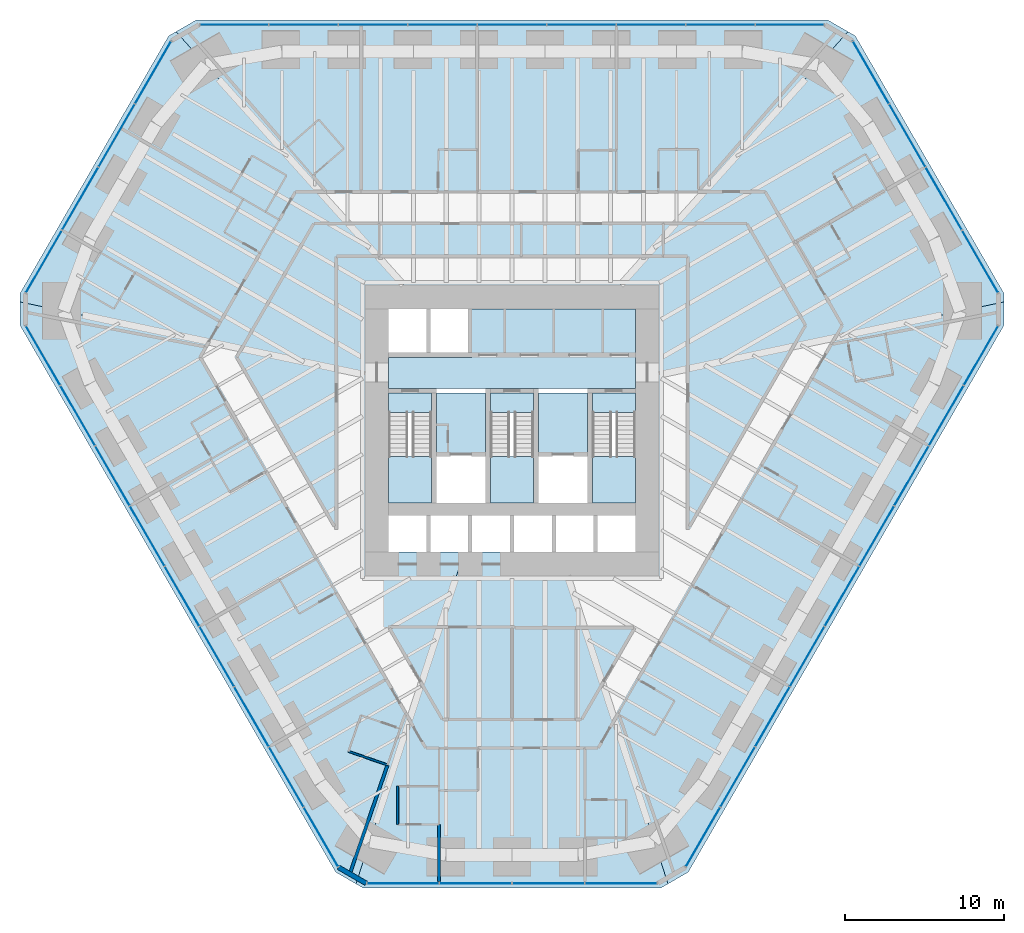
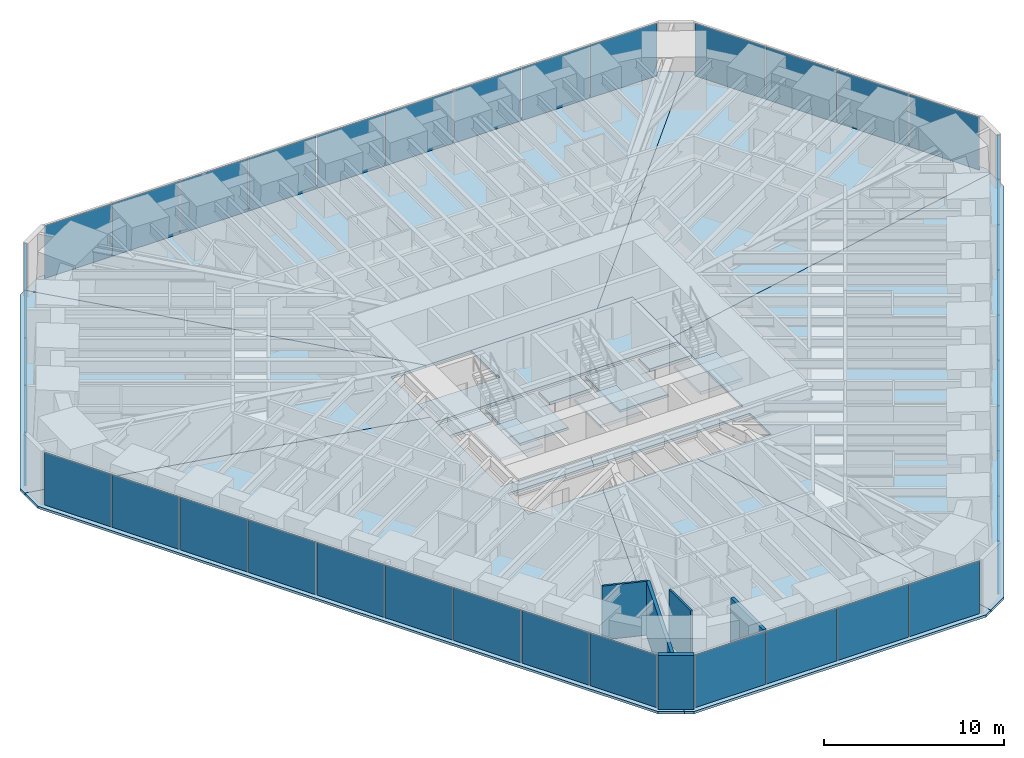
# One storey, part 10 of 17: 39 plates, 15 slabs, 5 walls, 9 elements without a shape of their own.
"""IFC4 building model written with IfcOpenShell, lengths in metres."""

from ifc_helpers import new_model, si_unit, direction, frame, frame_2d, origin, origin_2d, place, context, subcontext, project, spatial, polyline, rectangle, outline, extrude, material, layer, layer_set, type_object, element, aggregate, save


model = new_model("IFC4")

# Units and contexts
model_context = context("Model", 3, precision=1e-05, world=origin(), true_north=direction((0.0, 1.0)))
body_context = subcontext(model_context, "Body", "Model", "MODEL_VIEW")
ifc_project = project(units=[si_unit("LENGTHUNIT", "METRE"), si_unit("AREAUNIT", "SQUARE_METRE"), si_unit("VOLUMEUNIT", "CUBIC_METRE"), si_unit("PLANEANGLEUNIT", "RADIAN"), si_unit("MASSUNIT", "GRAM", prefix="KILO")], contexts=[model_context])

# Site, building, storey
site_placement = place(None, origin())
site = spatial("IfcSite", under=ifc_project, at=site_placement, CompositionType="ELEMENT")
building_placement = place(site_placement, origin())
building = spatial("IfcBuilding", under=site, at=building_placement, Name="Sandreach Pilgrim Tower", CompositionType="ELEMENT")
storey_placement = place(building_placement, frame((0.0, 0.0, 64.800048828125)))
storey = spatial("IfcBuildingStorey", under=building, at=storey_placement, Name="L15", CompositionType="ELEMENT", Elevation=64.800048828125)

# Curtain wall, plates
ifc_material_1 = material(Name="Aluminium framed curtain wall", Category="aluminium")
curtain_wall_type = type_object("IfcCurtainWallType", Name="Hostel tower curtain wall", PredefinedType="NOTDEFINED", material=ifc_material_1)
curtain_wall_1_placement = place(storey_placement, origin())
curtain_wall_1 = element("IfcCurtainWall", 1, at=curtain_wall_1_placement, inside=storey, type_object=curtain_wall_type, Name="CW-1 L15 N", PredefinedType="NOTDEFINED")
ifc_material_2 = material(Name="Insulating glass unit 6 heat-strengthened + 12 argon + 6 heat-strengthened", Category="glass")
ifc_layer_1 = layer(ifc_material_2, 0.02392578125)
ifc_layer_set_1 = layer_set([ifc_layer_1], Name="CW-1 panel")
plate_type = type_object("IfcPlateType", Name="CW-1 panel", PredefinedType="CURTAIN_PANEL", material=ifc_layer_set_1)
plate_1_placement = place(storey_placement, frame((-17.469970703125, 23.94873046875, 0.0), z_axis=(0.0, 0.0, 1.0), x_axis=(1.0, 0.0, 0.0)))
plate_1 = element("IfcPlate", 2, at=plate_1_placement, type_object=plate_type, Name="CW-1 panel 1", PredefinedType="CURTAIN_PANEL", context=body_context, shape_type="SweptSolid", body=[
    extrude(rectangle(XDim=4.274169921875, YDim=0.02392578125, at=origin_2d()), origin(), (0.0, 0.0, 1.0), 3.570068359375),
])
plate_2_placement = place(storey_placement, frame((-13.11474609375, 23.94873046875, 0.0), z_axis=(0.0, 0.0, 1.0), x_axis=(1.0, 0.0, 0.0)))
plate_2 = element("IfcPlate", 3, at=plate_2_placement, type_object=plate_type, Name="CW-1 panel 2", PredefinedType="CURTAIN_PANEL", context=body_context, shape_type="SweptSolid", body=[
    extrude(rectangle(XDim=4.306640625, YDim=0.02392578125, at=origin_2d()), origin(), (0.0, 0.0, 1.0), 3.570068359375),
])
plate_3_placement = place(storey_placement, frame((-8.7431640625, 23.94873046875, 0.0), z_axis=(0.0, 0.0, 1.0), x_axis=(1.0, 0.0, 0.0)))
plate_3 = element("IfcPlate", 4, at=plate_3_placement, type_object=plate_type, Name="CW-1 panel 3", PredefinedType="CURTAIN_PANEL", context=body_context, shape_type="SweptSolid", body=[
    extrude(rectangle(XDim=4.306640625, YDim=0.02392578125, at=origin_2d()), origin(), (0.0, 0.0, 1.0), 3.570068359375),
])
plate_4_placement = place(storey_placement, frame((-4.37158203125, 23.94873046875, 0.0), z_axis=(0.0, 0.0, 1.0), x_axis=(1.0, 0.0, 0.0)))
plate_4 = element("IfcPlate", 5, at=plate_4_placement, type_object=plate_type, Name="CW-1 panel 4", PredefinedType="CURTAIN_PANEL", context=body_context, shape_type="SweptSolid", body=[
    extrude(rectangle(XDim=4.306640625, YDim=0.02392578125, at=origin_2d()), origin(), (0.0, 0.0, 1.0), 3.570068359375),
])
plate_5_placement = place(storey_placement, frame((0.0, 23.94873046875, 0.0), z_axis=(0.0, 0.0, 1.0), x_axis=(1.0, 0.0, 0.0)))
plate_5 = element("IfcPlate", 6, at=plate_5_placement, type_object=plate_type, Name="CW-1 panel 5", PredefinedType="CURTAIN_PANEL", context=body_context, shape_type="SweptSolid", body=[
    extrude(rectangle(XDim=4.306640625, YDim=0.02392578125, at=origin_2d()), origin(), (0.0, 0.0, 1.0), 3.570068359375),
])
plate_6_placement = place(storey_placement, frame((4.37158203125, 23.94873046875, 0.0), z_axis=(0.0, 0.0, 1.0), x_axis=(1.0, 0.0, 0.0)))
plate_6 = element("IfcPlate", 7, at=plate_6_placement, type_object=plate_type, Name="CW-1 panel 6", PredefinedType="CURTAIN_PANEL", context=body_context, shape_type="SweptSolid", body=[
    extrude(rectangle(XDim=4.306640625, YDim=0.02392578125, at=origin_2d()), origin(), (0.0, 0.0, 1.0), 3.570068359375),
])
plate_7_placement = place(storey_placement, frame((8.7431640625, 23.94873046875, 0.0), z_axis=(0.0, 0.0, 1.0), x_axis=(1.0, 0.0, 0.0)))
plate_7 = element("IfcPlate", 8, at=plate_7_placement, type_object=plate_type, Name="CW-1 panel 7", PredefinedType="CURTAIN_PANEL", context=body_context, shape_type="SweptSolid", body=[
    extrude(rectangle(XDim=4.306640625, YDim=0.02392578125, at=origin_2d()), origin(), (0.0, 0.0, 1.0), 3.570068359375),
])
plate_8_placement = place(storey_placement, frame((13.11474609375, 23.94873046875, 0.0), z_axis=(0.0, 0.0, 1.0), x_axis=(1.0, 0.0, 0.0)))
plate_8 = element("IfcPlate", 9, at=plate_8_placement, type_object=plate_type, Name="CW-1 panel 8", PredefinedType="CURTAIN_PANEL", context=body_context, shape_type="SweptSolid", body=[
    extrude(rectangle(XDim=4.306640625, YDim=0.02392578125, at=origin_2d()), origin(), (0.0, 0.0, 1.0), 3.570068359375),
])
plate_9_placement = place(storey_placement, frame((17.469970703125, 23.94873046875, 0.0), z_axis=(0.0, 0.0, 1.0), x_axis=(1.0, 0.0, 0.0)))
plate_9 = element("IfcPlate", 10, at=plate_9_placement, type_object=plate_type, Name="CW-1 panel 9", PredefinedType="CURTAIN_PANEL", context=body_context, shape_type="SweptSolid", body=[
    extrude(rectangle(XDim=4.274169921875, YDim=0.02392578125, at=origin_2d()), origin(), (0.0, 0.0, 1.0), 3.570068359375),
])
aggregate(curtain_wall_1, [plate_1, plate_2, plate_3, plate_4, plate_5, plate_6, plate_7, plate_8, plate_9])

curtain_wall_2_placement = place(storey_placement, origin())
curtain_wall_2 = element("IfcCurtainWall", 11, at=curtain_wall_2_placement, inside=storey, type_object=curtain_wall_type, Name="CW-1 L15 NE", PredefinedType="NOTDEFINED")
plate_10_placement = place(storey_placement, frame((22.558837890625, 20.94873046875, 0.0), z_axis=(0.0, 0.0, 1.0), x_axis=(0.5, -0.866025403784, 0.0)))
plate_10 = element("IfcPlate", 12, at=plate_10_placement, type_object=plate_type, Name="CW-1 panel 1", PredefinedType="CURTAIN_PANEL", context=body_context, shape_type="SweptSolid", body=[
    extrude(rectangle(XDim=4.488525390625, YDim=0.02392578125, at=origin_2d()), origin(), (0.0, 0.0, 1.0), 3.570068359375),
])
plate_11_placement = place(storey_placement, frame((24.84375, 16.9912109375, 0.0), z_axis=(0.0, 0.0, 1.0), x_axis=(0.5, -0.866025403784, 0.0)))
plate_11 = element("IfcPlate", 13, at=plate_11_placement, type_object=plate_type, Name="CW-1 panel 2", PredefinedType="CURTAIN_PANEL", context=body_context, shape_type="SweptSolid", body=[
    extrude(rectangle(XDim=4.52099609375, YDim=0.02392578125, at=origin_2d()), origin(), (0.0, 0.0, 1.0), 3.570068359375),
])
plate_12_placement = place(storey_placement, frame((27.13671875, 13.01953125, 0.0), z_axis=(0.0, 0.0, 1.0), x_axis=(0.5, -0.866025403784, 0.0)))
plate_12 = element("IfcPlate", 14, at=plate_12_placement, type_object=plate_type, Name="CW-1 panel 3", PredefinedType="CURTAIN_PANEL", context=body_context, shape_type="SweptSolid", body=[
    extrude(rectangle(XDim=4.52099609375, YDim=0.02392578125, at=origin_2d()), origin(), (0.0, 0.0, 1.0), 3.570068359375),
])
plate_13_placement = place(storey_placement, frame((29.421630859375, 9.06201171875, 0.0), z_axis=(0.0, 0.0, 1.0), x_axis=(0.5, -0.866025403784, 0.0)))
plate_13 = element("IfcPlate", 15, at=plate_13_placement, type_object=plate_type, Name="CW-1 panel 4", PredefinedType="CURTAIN_PANEL", context=body_context, shape_type="SweptSolid", body=[
    extrude(rectangle(XDim=4.488525390625, YDim=0.02392578125, at=origin_2d()), origin(), (0.0, 0.0, 1.0), 3.570068359375),
])
aggregate(curtain_wall_2, [plate_10, plate_11, plate_12, plate_13])

curtain_wall_3_placement = place(storey_placement, origin())
curtain_wall_3 = element("IfcCurtainWall", 16, at=curtain_wall_3_placement, inside=storey, type_object=curtain_wall_type, Name="CW-1 L15 SE", PredefinedType="NOTDEFINED")
plate_14_placement = place(storey_placement, frame((29.475341796875, 3.1552734375, 0.0), z_axis=(0.0, 0.0, 1.0), x_axis=(-0.5, -0.866025403784, 0.0)))
plate_14 = element("IfcPlate", 17, at=plate_14_placement, type_object=plate_type, Name="CW-1 panel 1", PredefinedType="CURTAIN_PANEL", context=body_context, shape_type="SweptSolid", body=[
    extrude(rectangle(XDim=4.274169921875, YDim=0.02392578125, at=origin_2d()), origin(), (0.0, 0.0, 1.0), 3.570068359375),
])
plate_15_placement = place(storey_placement, frame((27.297607421875, -0.61669921875, 0.0), z_axis=(0.0, 0.0, 1.0), x_axis=(-0.5, -0.866025403784, 0.0)))
plate_15 = element("IfcPlate", 18, at=plate_15_placement, type_object=plate_type, Name="CW-1 panel 2", PredefinedType="CURTAIN_PANEL", context=body_context, shape_type="SweptSolid", body=[
    extrude(rectangle(XDim=4.306640625, YDim=0.02392578125, at=origin_2d()), origin(), (0.0, 0.0, 1.0), 3.570068359375),
])
plate_16_placement = place(storey_placement, frame((25.11181640625, -4.402587890625, 0.0), z_axis=(0.0, 0.0, 1.0), x_axis=(-0.5, -0.866025403784, 0.0)))
plate_16 = element("IfcPlate", 19, at=plate_16_placement, type_object=plate_type, Name="CW-1 panel 3", PredefinedType="CURTAIN_PANEL", context=body_context, shape_type="SweptSolid", body=[
    extrude(rectangle(XDim=4.306640625, YDim=0.02392578125, at=origin_2d()), origin(), (0.0, 0.0, 1.0), 3.570068359375),
])
plate_17_placement = place(storey_placement, frame((22.926025390625, -8.1884765625, 0.0), z_axis=(0.0, 0.0, 1.0), x_axis=(-0.5, -0.866025403784, 0.0)))
plate_17 = element("IfcPlate", 20, at=plate_17_placement, type_object=plate_type, Name="CW-1 panel 4", PredefinedType="CURTAIN_PANEL", context=body_context, shape_type="SweptSolid", body=[
    extrude(rectangle(XDim=4.306640625, YDim=0.02392578125, at=origin_2d()), origin(), (0.0, 0.0, 1.0), 3.570068359375),
])
plate_18_placement = place(storey_placement, frame((20.740234375, -11.974365234375, 0.0), z_axis=(0.0, 0.0, 1.0), x_axis=(-0.5, -0.866025403784, 0.0)))
plate_18 = element("IfcPlate", 21, at=plate_18_placement, type_object=plate_type, Name="CW-1 panel 5", PredefinedType="CURTAIN_PANEL", context=body_context, shape_type="SweptSolid", body=[
    extrude(rectangle(XDim=4.306640625, YDim=0.02392578125, at=origin_2d()), origin(), (0.0, 0.0, 1.0), 3.570068359375),
])
plate_19_placement = place(storey_placement, frame((18.554443359375, -15.76025390625, 0.0), z_axis=(0.0, 0.0, 1.0), x_axis=(-0.5, -0.866025403784, 0.0)))
plate_19 = element("IfcPlate", 22, at=plate_19_placement, type_object=plate_type, Name="CW-1 panel 6", PredefinedType="CURTAIN_PANEL", context=body_context, shape_type="SweptSolid", body=[
    extrude(rectangle(XDim=4.306640625, YDim=0.02392578125, at=origin_2d()), origin(), (0.0, 0.0, 1.0), 3.570068359375),
])
plate_20_placement = place(storey_placement, frame((16.36865234375, -19.546142578125, 0.0), z_axis=(0.0, 0.0, 1.0), x_axis=(-0.5, -0.866025403784, 0.0)))
plate_20 = element("IfcPlate", 23, at=plate_20_placement, type_object=plate_type, Name="CW-1 panel 7", PredefinedType="CURTAIN_PANEL", context=body_context, shape_type="SweptSolid", body=[
    extrude(rectangle(XDim=4.306640625, YDim=0.02392578125, at=origin_2d()), origin(), (0.0, 0.0, 1.0), 3.570068359375),
])
plate_21_placement = place(storey_placement, frame((14.182861328125, -23.33203125, 0.0), z_axis=(0.0, 0.0, 1.0), x_axis=(-0.5, -0.866025403784, 0.0)))
plate_21 = element("IfcPlate", 24, at=plate_21_placement, type_object=plate_type, Name="CW-1 panel 8", PredefinedType="CURTAIN_PANEL", context=body_context, shape_type="SweptSolid", body=[
    extrude(rectangle(XDim=4.306640625, YDim=0.02392578125, at=origin_2d()), origin(), (0.0, 0.0, 1.0), 3.570068359375),
])
plate_22_placement = place(storey_placement, frame((12.005126953125, -27.103759765625, 0.0), z_axis=(0.0, 0.0, 1.0), x_axis=(-0.5, -0.866025403784, 0.0)))
plate_22 = element("IfcPlate", 25, at=plate_22_placement, type_object=plate_type, Name="CW-1 panel 9", PredefinedType="CURTAIN_PANEL", context=body_context, shape_type="SweptSolid", body=[
    extrude(rectangle(XDim=4.274169921875, YDim=0.02392578125, at=origin_2d()), origin(), (0.0, 0.0, 1.0), 3.570068359375),
])
aggregate(curtain_wall_3, [plate_14, plate_15, plate_16, plate_17, plate_18, plate_19, plate_20, plate_21, plate_22])

curtain_wall_4_placement = place(storey_placement, origin())
curtain_wall_4 = element("IfcCurtainWall", 26, at=curtain_wall_4_placement, inside=storey, type_object=curtain_wall_type, Name="CW-1 L15 S", PredefinedType="NOTDEFINED")
plate_23_placement = place(storey_placement, frame((6.86279296875, -30.010986328125, 0.0), z_axis=(0.0, 0.0, 1.0), x_axis=(-1.0, 0.0, 0.0)))
plate_23 = element("IfcPlate", 27, at=plate_23_placement, type_object=plate_type, Name="CW-1 panel 1", PredefinedType="CURTAIN_PANEL", context=body_context, shape_type="SweptSolid", body=[
    extrude(rectangle(XDim=4.488525390625, YDim=0.02392578125, at=origin_2d()), origin(), (0.0, 0.0, 1.0), 3.570068359375),
])
plate_24_placement = place(storey_placement, frame((2.29296875, -30.010986328125, 0.0), z_axis=(0.0, 0.0, 1.0), x_axis=(-1.0, 0.0, 0.0)))
plate_24 = element("IfcPlate", 28, at=plate_24_placement, type_object=plate_type, Name="CW-1 panel 2", PredefinedType="CURTAIN_PANEL", context=body_context, shape_type="SweptSolid", body=[
    extrude(rectangle(XDim=4.52099609375, YDim=0.02392578125, at=origin_2d()), origin(), (0.0, 0.0, 1.0), 3.570068359375),
])
plate_25_placement = place(storey_placement, frame((-2.29296875, -30.010986328125, 0.0), z_axis=(0.0, 0.0, 1.0), x_axis=(-1.0, 0.0, 0.0)))
plate_25 = element("IfcPlate", 29, at=plate_25_placement, type_object=plate_type, Name="CW-1 panel 3", PredefinedType="CURTAIN_PANEL", context=body_context, shape_type="SweptSolid", body=[
    extrude(rectangle(XDim=4.52099609375, YDim=0.02392578125, at=origin_2d()), origin(), (0.0, 0.0, 1.0), 3.570068359375),
])
plate_26_placement = place(storey_placement, frame((-6.86279296875, -30.010986328125, 0.0), z_axis=(0.0, 0.0, 1.0), x_axis=(-1.0, 0.0, 0.0)))
plate_26 = element("IfcPlate", 30, at=plate_26_placement, type_object=plate_type, Name="CW-1 panel 4", PredefinedType="CURTAIN_PANEL", context=body_context, shape_type="SweptSolid", body=[
    extrude(rectangle(XDim=4.488525390625, YDim=0.02392578125, at=origin_2d()), origin(), (0.0, 0.0, 1.0), 3.570068359375),
])
aggregate(curtain_wall_4, [plate_23, plate_24, plate_25, plate_26])

curtain_wall_5_placement = place(storey_placement, origin())
curtain_wall_5 = element("IfcCurtainWall", 31, at=curtain_wall_5_placement, inside=storey, type_object=curtain_wall_type, Name="CW-1 L15 SW", PredefinedType="NOTDEFINED")
plate_27_placement = place(storey_placement, frame((-12.005126953125, -27.103759765625, 0.0), z_axis=(0.0, 0.0, 1.0), x_axis=(-0.5, 0.866025403784, 0.0)))
plate_27 = element("IfcPlate", 32, at=plate_27_placement, type_object=plate_type, Name="CW-1 panel 1", PredefinedType="CURTAIN_PANEL", context=body_context, shape_type="SweptSolid", body=[
    extrude(rectangle(XDim=4.274169921875, YDim=0.02392578125, at=origin_2d()), origin(), (0.0, 0.0, 1.0), 3.570068359375),
])
plate_28_placement = place(storey_placement, frame((-14.182861328125, -23.33203125, 0.0), z_axis=(0.0, 0.0, 1.0), x_axis=(-0.5, 0.866025403784, 0.0)))
plate_28 = element("IfcPlate", 33, at=plate_28_placement, type_object=plate_type, Name="CW-1 panel 2", PredefinedType="CURTAIN_PANEL", context=body_context, shape_type="SweptSolid", body=[
    extrude(rectangle(XDim=4.306640625, YDim=0.02392578125, at=origin_2d()), origin(), (0.0, 0.0, 1.0), 3.570068359375),
])
plate_29_placement = place(storey_placement, frame((-16.36865234375, -19.546142578125, 0.0), z_axis=(0.0, 0.0, 1.0), x_axis=(-0.5, 0.866025403784, 0.0)))
plate_29 = element("IfcPlate", 34, at=plate_29_placement, type_object=plate_type, Name="CW-1 panel 3", PredefinedType="CURTAIN_PANEL", context=body_context, shape_type="SweptSolid", body=[
    extrude(rectangle(XDim=4.306640625, YDim=0.02392578125, at=origin_2d()), origin(), (0.0, 0.0, 1.0), 3.570068359375),
])
plate_30_placement = place(storey_placement, frame((-18.554443359375, -15.76025390625, 0.0), z_axis=(0.0, 0.0, 1.0), x_axis=(-0.5, 0.866025403784, 0.0)))
plate_30 = element("IfcPlate", 35, at=plate_30_placement, type_object=plate_type, Name="CW-1 panel 4", PredefinedType="CURTAIN_PANEL", context=body_context, shape_type="SweptSolid", body=[
    extrude(rectangle(XDim=4.306640625, YDim=0.02392578125, at=origin_2d()), origin(), (0.0, 0.0, 1.0), 3.570068359375),
])
plate_31_placement = place(storey_placement, frame((-20.740234375, -11.974365234375, 0.0), z_axis=(0.0, 0.0, 1.0), x_axis=(-0.5, 0.866025403784, 0.0)))
plate_31 = element("IfcPlate", 36, at=plate_31_placement, type_object=plate_type, Name="CW-1 panel 5", PredefinedType="CURTAIN_PANEL", context=body_context, shape_type="SweptSolid", body=[
    extrude(rectangle(XDim=4.306640625, YDim=0.02392578125, at=origin_2d()), origin(), (0.0, 0.0, 1.0), 3.570068359375),
])
plate_32_placement = place(storey_placement, frame((-22.926025390625, -8.1884765625, 0.0), z_axis=(0.0, 0.0, 1.0), x_axis=(-0.5, 0.866025403784, 0.0)))
plate_32 = element("IfcPlate", 37, at=plate_32_placement, type_object=plate_type, Name="CW-1 panel 6", PredefinedType="CURTAIN_PANEL", context=body_context, shape_type="SweptSolid", body=[
    extrude(rectangle(XDim=4.306640625, YDim=0.02392578125, at=origin_2d()), origin(), (0.0, 0.0, 1.0), 3.570068359375),
])
plate_33_placement = place(storey_placement, frame((-25.11181640625, -4.402587890625, 0.0), z_axis=(0.0, 0.0, 1.0), x_axis=(-0.5, 0.866025403784, 0.0)))
plate_33 = element("IfcPlate", 38, at=plate_33_placement, type_object=plate_type, Name="CW-1 panel 7", PredefinedType="CURTAIN_PANEL", context=body_context, shape_type="SweptSolid", body=[
    extrude(rectangle(XDim=4.306640625, YDim=0.02392578125, at=origin_2d()), origin(), (0.0, 0.0, 1.0), 3.570068359375),
])
plate_34_placement = place(storey_placement, frame((-27.297607421875, -0.61669921875, 0.0), z_axis=(0.0, 0.0, 1.0), x_axis=(-0.5, 0.866025403784, 0.0)))
plate_34 = element("IfcPlate", 39, at=plate_34_placement, type_object=plate_type, Name="CW-1 panel 8", PredefinedType="CURTAIN_PANEL", context=body_context, shape_type="SweptSolid", body=[
    extrude(rectangle(XDim=4.306640625, YDim=0.02392578125, at=origin_2d()), origin(), (0.0, 0.0, 1.0), 3.570068359375),
])
plate_35_placement = place(storey_placement, frame((-29.475341796875, 3.1552734375, 0.0), z_axis=(0.0, 0.0, 1.0), x_axis=(-0.5, 0.866025403784, 0.0)))
plate_35 = element("IfcPlate", 40, at=plate_35_placement, type_object=plate_type, Name="CW-1 panel 9", PredefinedType="CURTAIN_PANEL", context=body_context, shape_type="SweptSolid", body=[
    extrude(rectangle(XDim=4.274169921875, YDim=0.02392578125, at=origin_2d()), origin(), (0.0, 0.0, 1.0), 3.570068359375),
])
aggregate(curtain_wall_5, [plate_27, plate_28, plate_29, plate_30, plate_31, plate_32, plate_33, plate_34, plate_35])

curtain_wall_6_placement = place(storey_placement, origin())
curtain_wall_6 = element("IfcCurtainWall", 41, at=curtain_wall_6_placement, inside=storey, type_object=curtain_wall_type, Name="CW-1 L15 NW", PredefinedType="NOTDEFINED")
plate_36_placement = place(storey_placement, frame((-29.421630859375, 9.06201171875, 0.0), z_axis=(0.0, 0.0, 1.0), x_axis=(0.5, 0.866025403784, 0.0)))
plate_36 = element("IfcPlate", 42, at=plate_36_placement, type_object=plate_type, Name="CW-1 panel 1", PredefinedType="CURTAIN_PANEL", context=body_context, shape_type="SweptSolid", body=[
    extrude(rectangle(XDim=4.488525390625, YDim=0.02392578125, at=origin_2d()), origin(), (0.0, 0.0, 1.0), 3.570068359375),
])
plate_37_placement = place(storey_placement, frame((-27.13671875, 13.01953125, 0.0), z_axis=(0.0, 0.0, 1.0), x_axis=(0.5, 0.866025403784, 0.0)))
plate_37 = element("IfcPlate", 43, at=plate_37_placement, type_object=plate_type, Name="CW-1 panel 2", PredefinedType="CURTAIN_PANEL", context=body_context, shape_type="SweptSolid", body=[
    extrude(rectangle(XDim=4.52099609375, YDim=0.02392578125, at=origin_2d()), origin(), (0.0, 0.0, 1.0), 3.570068359375),
])
plate_38_placement = place(storey_placement, frame((-24.84375, 16.9912109375, 0.0), z_axis=(0.0, 0.0, 1.0), x_axis=(0.5, 0.866025403784, 0.0)))
plate_38 = element("IfcPlate", 44, at=plate_38_placement, type_object=plate_type, Name="CW-1 panel 3", PredefinedType="CURTAIN_PANEL", context=body_context, shape_type="SweptSolid", body=[
    extrude(rectangle(XDim=4.52099609375, YDim=0.02392578125, at=origin_2d()), origin(), (0.0, 0.0, 1.0), 3.570068359375),
])
plate_39_placement = place(storey_placement, frame((-22.558837890625, 20.94873046875, 0.0), z_axis=(0.0, 0.0, 1.0), x_axis=(0.5, 0.866025403784, 0.0)))
plate_39 = element("IfcPlate", 45, at=plate_39_placement, type_object=plate_type, Name="CW-1 panel 4", PredefinedType="CURTAIN_PANEL", context=body_context, shape_type="SweptSolid", body=[
    extrude(rectangle(XDim=4.488525390625, YDim=0.02392578125, at=origin_2d()), origin(), (0.0, 0.0, 1.0), 3.570068359375),
])
aggregate(curtain_wall_6, [plate_36, plate_37, plate_38, plate_39])

# Slabs
ifc_material_3 = material(Name="Concrete 8000 psi", Category="concrete")
ifc_layer_2 = layer(ifc_material_3, 0.159912109375)
ifc_layer_set_2 = layer_set([ifc_layer_2], Name="Composite floor slab 160")
slab_type_1 = type_object("IfcSlabType", Name="Composite floor slab 160", PredefinedType="FLOOR", material=ifc_layer_set_2)
slab_1_placement = place(storey_placement, frame((0.0, 0.0, -0.16015625)))
element("IfcSlab", 46, at=slab_1_placement, inside=storey, type_object=slab_type_1, Name="Floor slab L15 N sector", PredefinedType="FLOOR", context=body_context, shape_type="SweptSolid", body=[
    extrude(outline(polyline([(-19.84521484375, 24.248779296875), (19.84521484375, 24.248779296875), (21.115478515625, 23.515380859375), (5.477294921875, 6.10009765625), (-5.477294921875, 6.10009765625), (-21.115478515625, 23.515380859375), (-19.84521484375, 24.248779296875)])), origin(), (0.0, 0.0, 1.0), 0.16015625),
])
slab_2_placement = place(storey_placement, frame((0.0, 0.0, -0.16015625)))
element("IfcSlab", 47, at=slab_2_placement, inside=storey, type_object=slab_type_1, Name="Floor slab L15 NE sector", PredefinedType="FLOOR", context=body_context, shape_type="SweptSolid", body=[
    extrude(outline(polyline([(21.577392578125, 23.248779296875), (30.922607421875, 7.062255859375), (30.922607421875, 6.52880859375), (7.75, 1.63623046875), (7.75, 6.10009765625), (5.477294921875, 6.10009765625), (21.115478515625, 23.515380859375), (21.577392578125, 23.248779296875)])), origin(), (0.0, 0.0, 1.0), 0.16015625),
])
slab_3_placement = place(storey_placement, frame((0.0, 0.0, -0.16015625)))
element("IfcSlab", 48, at=slab_3_placement, inside=storey, type_object=slab_type_1, Name="Floor slab L15 SE sector", PredefinedType="FLOOR", context=body_context, shape_type="SweptSolid", body=[
    extrude(outline(polyline([(11.077392578125, -29.310791015625), (9.80712890625, -30.044189453125), (3.003173828125, -9.199951171875), (7.75, -9.199951171875), (7.75, -6.89990234375), (-2.252197265625, -6.89990234375), (-1.9912109375, -6.10009765625), (7.75, -6.10009765625), (7.75, 1.63623046875), (30.922607421875, 6.52880859375), (30.922607421875, 5.062255859375), (11.077392578125, -29.310791015625)])), origin(), (0.0, 0.0, 1.0), 0.16015625),
])
slab_4_placement = place(storey_placement, frame((0.0, 0.0, -0.16015625)))
element("IfcSlab", 49, at=slab_4_placement, inside=storey, type_object=slab_type_1, Name="Floor slab L15 S sector", PredefinedType="FLOOR", context=body_context, shape_type="SweptSolid", body=[
    extrude(outline(polyline([(9.34521484375, -30.310791015625), (-9.34521484375, -30.310791015625), (-9.80712890625, -30.044189453125), (-3.003173828125, -9.199951171875), (3.003173828125, -9.199951171875), (9.80712890625, -30.044189453125), (9.34521484375, -30.310791015625)])), origin(), (0.0, 0.0, 1.0), 0.16015625),
])
slab_5_placement = place(storey_placement, frame((0.0, 0.0, -0.16015625)))
element("IfcSlab", 50, at=slab_5_placement, inside=storey, type_object=slab_type_1, Name="Floor slab L15 SW sector", PredefinedType="FLOOR", context=body_context, shape_type="SweptSolid", body=[
    extrude(outline(polyline([(-11.077392578125, -29.310791015625), (-30.922607421875, 5.062255859375), (-30.922607421875, 6.52880859375), (-7.75, 1.63623046875), (-7.75, -6.10009765625), (-1.9912109375, -6.10009765625), (-2.252197265625, -6.89990234375), (-7.75, -6.89990234375), (-7.75, -9.199951171875), (-3.003173828125, -9.199951171875), (-9.80712890625, -30.044189453125), (-11.077392578125, -29.310791015625)])), origin(), (0.0, 0.0, 1.0), 0.16015625),
])
slab_6_placement = place(storey_placement, frame((0.0, 0.0, -0.16015625)))
element("IfcSlab", 51, at=slab_6_placement, inside=storey, type_object=slab_type_1, Name="Floor slab L15 NW sector", PredefinedType="FLOOR", context=body_context, shape_type="SweptSolid", body=[
    extrude(outline(polyline([(-30.922607421875, 7.062255859375), (-21.577392578125, 23.248779296875), (-21.115478515625, 23.515380859375), (-5.477294921875, 6.10009765625), (-7.75, 6.10009765625), (-7.75, 1.63623046875), (-30.922607421875, 6.52880859375), (-30.922607421875, 7.062255859375)])), origin(), (0.0, 0.0, 1.0), 0.16015625),
])
slab_7_placement = place(storey_placement, frame((0.0, 0.0, -0.16015625)))
element("IfcSlab", 52, at=slab_7_placement, inside=storey, type_object=slab_type_1, Name="Core floor slab and stores L15", PredefinedType="FLOOR", context=body_context, shape_type="SweptSolid", body=[
    extrude(outline(polyline([(-7.75, 3.050048828125), (-5.375, 3.050048828125), (-5.125, 3.050048828125), (-2.5, 3.050048828125), (-2.5, 3.35009765625), (-2.60009765625, 3.35009765625), (-2.60009765625, 6.10009765625), (7.75, 6.10009765625), (7.75, 1.10009765625), (5.050048828125, 1.10009765625), (4.75, 1.10009765625), (1.64990234375, 1.10009765625), (1.35009765625, 1.10009765625), (-1.35009765625, 1.10009765625), (-1.64990234375, 1.10009765625), (-4.75, 1.10009765625), (-5.050048828125, 1.10009765625), (-7.75, 1.10009765625), (-7.75, 3.050048828125)])), origin(), (0.0, 0.0, 1.0), 0.16015625),
])
slab_8_placement = place(storey_placement, frame((0.0, 0.0, -0.16015625)))
element("IfcSlab", 53, at=slab_8_placement, inside=storey, type_object=slab_type_1, Name="Core floor slab and stores L15 2", PredefinedType="FLOOR", context=body_context, shape_type="SweptSolid", body=[
    extrude(outline(polyline([(-1.64990234375, -3.050048828125), (-4.75, -3.050048828125), (-4.75, 0.800048828125), (-1.64990234375, 0.800048828125), (-1.64990234375, -3.050048828125)])), origin(), (0.0, 0.0, 1.0), 0.16015625),
])
slab_9_placement = place(storey_placement, frame((0.0, 0.0, -0.16015625)))
element("IfcSlab", 54, at=slab_9_placement, inside=storey, type_object=slab_type_1, Name="Core floor slab and stores L15 3", PredefinedType="FLOOR", context=body_context, shape_type="SweptSolid", body=[
    extrude(outline(polyline([(4.75, -3.050048828125), (1.64990234375, -3.050048828125), (1.64990234375, 0.800048828125), (4.75, 0.800048828125), (4.75, -3.050048828125)])), origin(), (0.0, 0.0, 1.0), 0.16015625),
])

# Stair, slabs
ifc_material_4 = material(Name="Concrete 8000 psi", Category="concrete")
stair_type = type_object("IfcStairType", Name="Core exit stair", PredefinedType="HALF_TURN_STAIR", material=ifc_material_4)
stair_1_placement = place(storey_placement, origin())
stair_1 = element("IfcStair", 55, at=stair_1_placement, inside=storey, type_object=stair_type, Name="Exit stair ST1 L15", PredefinedType="HALF_TURN_STAIR")
ifc_material_5 = material(Name="Concrete 8000 psi", Category="concrete")
ifc_layer_3 = layer(ifc_material_5, 0.199951171875)
ifc_layer_set_3 = layer_set([ifc_layer_3], Name="Core stair landing 200")
slab_type_2 = type_object("IfcSlabType", Name="Core stair landing 200", PredefinedType="LANDING", material=ifc_layer_set_3)
slab_10_placement = place(storey_placement, frame((0.0, 0.0, -0.199951171875)))
slab_10 = element("IfcSlab", 56, at=slab_10_placement, type_object=slab_type_2, Name="ST1 landing 1", PredefinedType="LANDING", context=body_context, shape_type="SweptSolid", body=[
    extrude(outline(polyline([(-7.75, -0.425048828125), (-5.050048828125, -0.425048828125), (-5.050048828125, 0.800048828125), (-7.75, 0.800048828125), (-7.75, -0.425048828125)])), origin(), (0.0, 0.0, 1.0), 0.199951171875),
])
slab_11_placement = place(storey_placement, frame((0.0, 0.0, 1.699951171875)))
slab_11 = element("IfcSlab", 57, at=slab_11_placement, type_object=slab_type_2, Name="ST1 landing 2", PredefinedType="LANDING", context=body_context, shape_type="SweptSolid", body=[
    extrude(outline(polyline([(-7.75, -6.10009765625), (-5.050048828125, -6.10009765625), (-5.050048828125, -3.175048828125), (-7.75, -3.175048828125), (-7.75, -6.10009765625)])), origin(), (0.0, 0.0, 1.0), 0.199951171875),
])
aggregate(stair_1, [slab_10, slab_11])

stair_2_placement = place(storey_placement, origin())
stair_2 = element("IfcStair", 58, at=stair_2_placement, inside=storey, type_object=stair_type, Name="Exit stair ST3 L15", PredefinedType="HALF_TURN_STAIR")
slab_12_placement = place(storey_placement, frame((0.0, 0.0, -0.199951171875)))
slab_12 = element("IfcSlab", 59, at=slab_12_placement, type_object=slab_type_2, Name="ST3 landing 1", PredefinedType="LANDING", context=body_context, shape_type="SweptSolid", body=[
    extrude(outline(polyline([(-1.35009765625, -0.425048828125), (1.35009765625, -0.425048828125), (1.35009765625, 0.800048828125), (-1.35009765625, 0.800048828125), (-1.35009765625, -0.425048828125)])), origin(), (0.0, 0.0, 1.0), 0.199951171875),
])
slab_13_placement = place(storey_placement, frame((0.0, 0.0, 1.699951171875)))
slab_13 = element("IfcSlab", 60, at=slab_13_placement, type_object=slab_type_2, Name="ST3 landing 2", PredefinedType="LANDING", context=body_context, shape_type="SweptSolid", body=[
    extrude(outline(polyline([(-1.35009765625, -6.10009765625), (1.35009765625, -6.10009765625), (1.35009765625, -3.175048828125), (-1.35009765625, -3.175048828125), (-1.35009765625, -6.10009765625)])), origin(), (0.0, 0.0, 1.0), 0.199951171875),
])
aggregate(stair_2, [slab_12, slab_13])

stair_3_placement = place(storey_placement, origin())
stair_3 = element("IfcStair", 61, at=stair_3_placement, inside=storey, type_object=stair_type, Name="Exit stair ST2 L15", PredefinedType="HALF_TURN_STAIR")
slab_14_placement = place(storey_placement, frame((0.0, 0.0, -0.199951171875)))
slab_14 = element("IfcSlab", 62, at=slab_14_placement, type_object=slab_type_2, Name="ST2 landing 1", PredefinedType="LANDING", context=body_context, shape_type="SweptSolid", body=[
    extrude(outline(polyline([(5.050048828125, -0.425048828125), (7.75, -0.425048828125), (7.75, 0.800048828125), (5.050048828125, 0.800048828125), (5.050048828125, -0.425048828125)])), origin(), (0.0, 0.0, 1.0), 0.199951171875),
])
slab_15_placement = place(storey_placement, frame((0.0, 0.0, 1.699951171875)))
slab_15 = element("IfcSlab", 63, at=slab_15_placement, type_object=slab_type_2, Name="ST2 landing 2", PredefinedType="LANDING", context=body_context, shape_type="SweptSolid", body=[
    extrude(outline(polyline([(5.050048828125, -6.10009765625), (7.75, -6.10009765625), (7.75, -3.175048828125), (5.050048828125, -3.175048828125), (5.050048828125, -6.10009765625)])), origin(), (0.0, 0.0, 1.0), 0.199951171875),
])
aggregate(stair_3, [slab_14, slab_15])

# Walls
ifc_material_6 = material(Name="Moisture-resistant gypsum board on steel studs", Category="steel")
ifc_layer_4 = layer(ifc_material_6, 0.1201171875)
ifc_layer_set_4 = layer_set([ifc_layer_4], Name="Bathroom partition 120")
wall_type_1 = type_object("IfcWallType", Name="Bathroom partition 120", PredefinedType="PARTITIONING", material=ifc_layer_set_4)
wall_1_placement = place(storey_placement, frame((-10.280029296875, -21.719970703125, 0.0), z_axis=(0.0, 0.0, 1.0), x_axis=(0.94515546045, -0.326620813149, 0.0)))
element("IfcWall", 64, at=wall_1_placement, inside=storey, type_object=wall_type_1, Name="Bathroom partition L15-051", PredefinedType="PARTITIONING", context=body_context, shape_type="SweptSolid", body=[
    extrude(rectangle(XDim=2.602783203125, YDim=0.1201171875, at=frame_2d((1.30126953125, 0.0))), origin(), (0.0, 0.0, 1.0), 3.639892578125),
])
wall_2_placement = place(storey_placement, frame((-7.18994140625, -23.909912109375, 0.0), z_axis=(0.0, 0.0, 1.0), x_axis=(0.0, -1.0, 0.0)))
element("IfcWall", 65, at=wall_2_placement, inside=storey, type_object=wall_type_1, Name="Bathroom partition L15-062", PredefinedType="PARTITIONING", context=body_context, shape_type="SweptSolid", body=[
    extrude(rectangle(XDim=2.400146484375, YDim=0.1201171875, at=frame_2d((1.2001953125, 0.0))), origin(), (0.0, 0.0, 1.0), 3.639892578125),
])
ifc_material_7 = material(Name="Double steel stud acoustic wall, gypsum board", Category="steel")
ifc_layer_5 = layer(ifc_material_7, 0.199951171875)
ifc_layer_set_5 = layer_set([ifc_layer_5], Name="Party wall 200")
wall_type_2 = type_object("IfcWallType", Name="Party wall 200", PredefinedType="PARTITIONING", material=ifc_layer_set_5)
wall_3_placement = place(storey_placement, frame((-10.2001953125, -29.441650390625, 0.0), z_axis=(0.0, 0.0, 1.0), x_axis=(0.327154379454, 0.944970905374, 0.0)))
element("IfcWall", 66, at=wall_3_placement, inside=storey, type_object=wall_type_2, Name="Party wall L15-052", PredefinedType="PARTITIONING", context=body_context, shape_type="SweptSolid", body=[
    extrude(rectangle(XDim=7.272216796875, YDim=0.199951171875, at=frame_2d((3.63623046875, 0.0))), origin(), (0.0, 0.0, 1.0), 3.639892578125),
])
wall_4_placement = place(storey_placement, frame((-4.590087890625, -29.889892578125, 0.0), z_axis=(0.0, 0.0, 1.0), x_axis=(0.0, 1.0, 0.0)))
element("IfcWall", 67, at=wall_4_placement, inside=storey, type_object=wall_type_2, Name="Party wall L15-069", PredefinedType="PARTITIONING", context=body_context, shape_type="SweptSolid", body=[
    extrude(rectangle(XDim=3.579833984375, YDim=0.199951171875, at=frame_2d((1.7900390625, 0.0))), origin(), (0.0, 0.0, 1.0), 3.639892578125),
])
ifc_material_8 = material(Name="Terracotta rainscreen on concrete", Category="masonry")
ifc_layer_6 = layer(ifc_material_8, 0.300048828125)
ifc_layer_set_6 = layer_set([ifc_layer_6], Name="Terracotta chamfer pier")
wall_type_3 = type_object("IfcWallType", Name="Terracotta chamfer pier", PredefinedType="SOLIDWALL", material=ifc_layer_set_6)
wall_5_placement = place(storey_placement, frame((-9.172119140625, -30.010986328125, 0.0), z_axis=(0.0, 0.0, 1.0), x_axis=(-0.866010750942, 0.50002537861, 0.0)))
element("IfcWall", 68, at=wall_5_placement, inside=storey, type_object=wall_type_3, Name="Chamfer pier L15 S", PredefinedType="SOLIDWALL", context=body_context, shape_type="SweptSolid", body=[
    extrude(rectangle(XDim=2.0, YDim=0.300048828125, at=frame_2d((1.0, 0.0))), origin(), (0.0, 0.0, 1.0), 3.639892578125),
])

save(model, "model.ifc")
